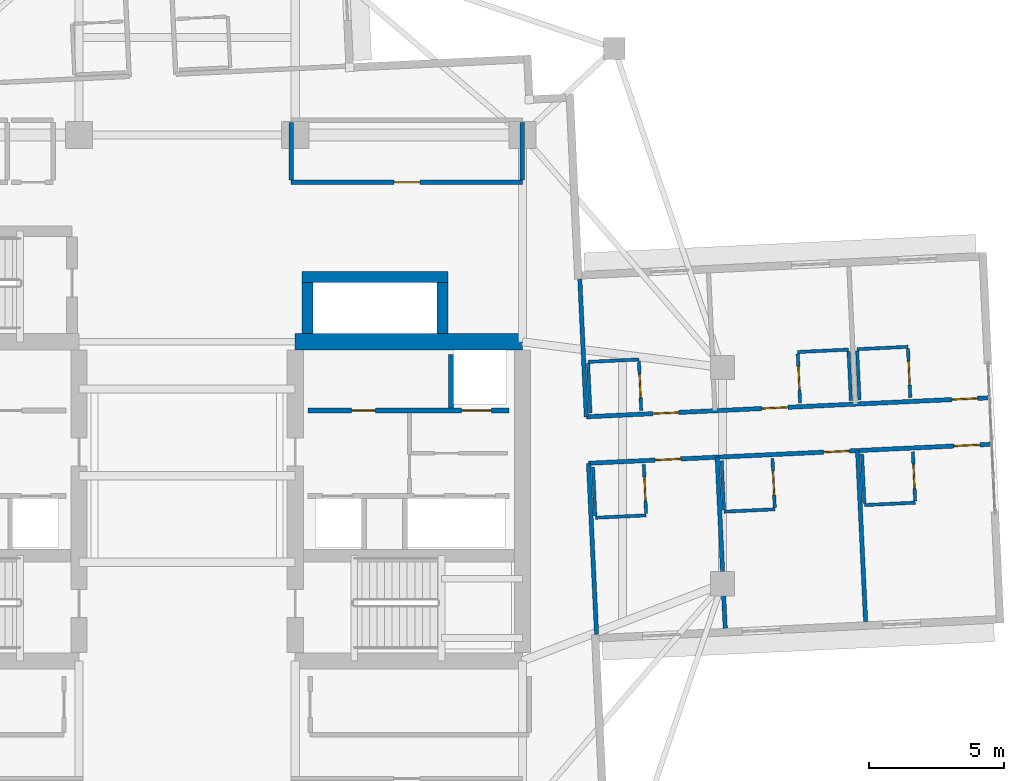
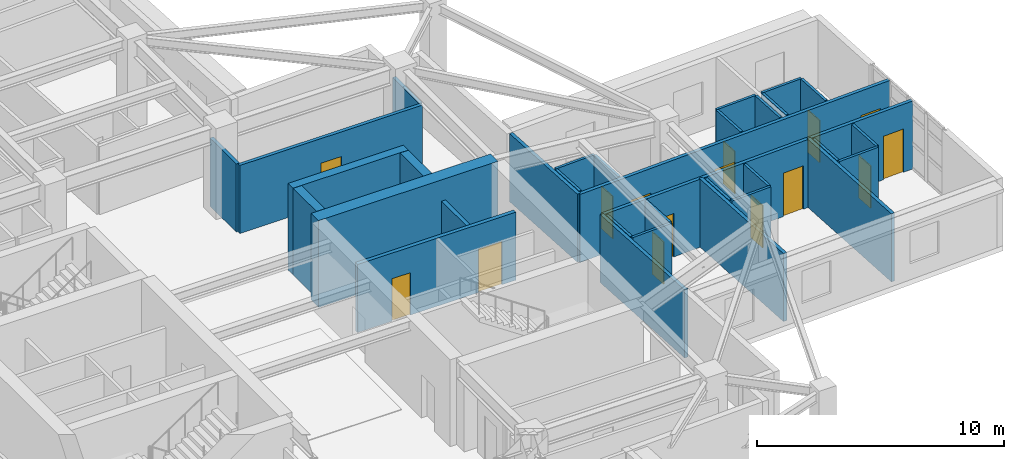
# One storey, part 15 of 22: 33 walls, 15 doors, 15 openings.
"""IFC4 building model written with IfcOpenShell, lengths in metres."""

from ifc_helpers import new_model, si_unit, direction, frame, frame_2d, origin, place, context, subcontext, project, spatial, rectangle, extrude, material, layer, layer_set, type_object, element, fill, save


model = new_model("IFC4")

# Units and contexts
model_context = context("Model", 3, precision=1e-05, world=origin(), true_north=direction((0.0, 1.0)))
body_context = subcontext(model_context, "Body", "Model", "MODEL_VIEW")
ifc_project = project(units=[si_unit("LENGTHUNIT", "METRE"), si_unit("AREAUNIT", "SQUARE_METRE"), si_unit("VOLUMEUNIT", "CUBIC_METRE"), si_unit("PLANEANGLEUNIT", "RADIAN"), si_unit("MASSUNIT", "GRAM", prefix="KILO")], contexts=[model_context])

# Site, building, storey
site_placement = place(None, origin())
site = spatial("IfcSite", under=ifc_project, at=site_placement, CompositionType="ELEMENT")
building_placement = place(site_placement, origin())
building = spatial("IfcBuilding", under=site, at=building_placement, Name="Qingluan Cross Belvedere", CompositionType="ELEMENT")
storey_placement = place(building_placement, frame((0.0, 0.0, 196.800048828125)))
storey = spatial("IfcBuildingStorey", under=building, at=storey_placement, Name="L49", CompositionType="ELEMENT", Elevation=196.800048828125)

# Walls
ifc_material_1 = material(Name="Concrete C50", Category="concrete")
ifc_layer_1 = layer(ifc_material_1, 0.449951171875, Name="CoreShearWall_450")
ifc_layer_set_1 = layer_set([ifc_layer_1], Name="Concrete C50")
wall_type_1 = type_object("IfcWallType", Name="CoreShearWall_450", PredefinedType="SHEAR", material=ifc_layer_set_1)
wall_1_placement = place(storey_placement, frame((4.449951171875, 5.2548828125, 0.0), z_axis=(0.0, 0.0, 1.0), x_axis=(0.0, 1.0, 0.0)))
element("IfcWall", 1, at=wall_1_placement, inside=storey, type_object=wall_type_1, Name="Express shuttle core wall L49-W", PredefinedType="SHEAR", context=body_context, shape_type="SweptSolid", body=[
    extrude(rectangle(XDim=1.885009765625, YDim=0.39990234375, at=frame_2d((0.9423828125, 0.0))), origin(), (0.0, 0.0, 1.0), 4.300048828125),
])
wall_2_placement = place(storey_placement, frame((4.25, 7.35009765625, 0.0), z_axis=(0.0, 0.0, 1.0), x_axis=(1.0, 0.0, 0.0)))
element("IfcWall", 2, at=wall_2_placement, inside=storey, type_object=wall_type_1, Name="Express shuttle core wall L49-N", PredefinedType="SHEAR", context=body_context, shape_type="SweptSolid", body=[
    extrude(rectangle(XDim=5.39990234375, YDim=0.39990234375, at=frame_2d((2.699951171875, 0.0))), origin(), (0.0, 0.0, 1.0), 4.300048828125),
])
wall_3_placement = place(storey_placement, frame((9.449951171875, 5.2548828125, 0.0), z_axis=(0.0, 0.0, 1.0), x_axis=(0.0, 1.0, 0.0)))
element("IfcWall", 3, at=wall_3_placement, inside=storey, type_object=wall_type_1, Name="Express shuttle core wall L49-E", PredefinedType="SHEAR", context=body_context, shape_type="SweptSolid", body=[
    extrude(rectangle(XDim=1.885009765625, YDim=0.39990234375, at=frame_2d((0.9423828125, 0.0))), origin(), (0.0, 0.0, 1.0), 4.300048828125),
])
ifc_material_2 = material(Name="Concrete C60", Category="concrete")
ifc_layer_2 = layer(ifc_material_2, 0.60009765625, Name="CoreShearWall_600")
ifc_layer_set_2 = layer_set([ifc_layer_2], Name="Concrete C60")
wall_type_2 = type_object("IfcWallType", Name="CoreShearWall_600", PredefinedType="SHEAR", material=ifc_layer_set_2)
wall_4_placement = place(storey_placement, frame((4.0, 4.949951171875, 0.0), z_axis=(0.0, 0.0, 1.0), x_axis=(1.0, 0.0, 0.0)))
element("IfcWall", 4, at=wall_4_placement, inside=storey, type_object=wall_type_2, Name="Split core E shear wall L49-N", PredefinedType="SHEAR", context=body_context, shape_type="SweptSolid", body=[
    extrude(rectangle(XDim=8.39990234375, YDim=0.60009765625, at=frame_2d((4.199951171875, 0.0))), origin(), (0.0, 0.0, 1.0), 4.300048828125),
])

# Wall, opening, door
ifc_material_3 = material(Name="Gypsum plasterboard on steel stud acoustic partition", Category="steel")
ifc_layer_3 = layer(ifc_material_3, 0.159912109375, Name="CorridorPartition_160")
ifc_layer_set_3 = layer_set([ifc_layer_3], Name="Gypsum plasterboard on steel stud acoustic partition")
wall_type_3 = type_object("IfcWallType", Name="CorridorPartition_160", PredefinedType="PARTITIONING", material=ifc_layer_set_3)
wall_5_placement = place(storey_placement, frame((3.85009765625, 10.85009765625, 0.0), z_axis=(0.0, 0.0, 1.0), x_axis=(1.0, 0.0, 0.0)))
wall_5 = element("IfcWall", 5, at=wall_5_placement, inside=storey, type_object=wall_type_3, Name="Partition L49:sky_concierge:S", PredefinedType="PARTITIONING", context=body_context, shape_type="SweptSolid", body=[
    extrude(rectangle(XDim=8.5498046875, YDim=0.159912109375, at=frame_2d((4.27490234375, 0.0))), origin(), (0.0, 0.0, 1.0), 3.369873046875),
])
opening_1_placement = place(wall_5_placement, frame((3.794921875, 0.0, 0.0)))
opening_1 = element("IfcOpeningElement", 6, at=opening_1_placement, cuts=wall_5, Name="Opening GD-10", PredefinedType="OPENING", context=body_context, shape_type="SweptSolid", body=[
    extrude(rectangle(XDim=0.9599609375, YDim=2.14990234375, at=frame_2d((0.47998046875, 1.074951171875))), frame((0.0, 0.08984375, 0.0), z_axis=(0.0, -1.0, 0.0), x_axis=(1.0, 0.0, 0.0)), (0.0, 0.0, 1.0), 0.179931640625),
])
ifc_material_4 = material(Name="Timber oak fire-rated acoustic guestroom door", Category="wood")
door_type_1 = type_object("IfcDoorType", Name="GuestEntryDoor_FD60", OperationType="NOTDEFINED", PredefinedType="DOOR", material=ifc_material_4)
door_1_placement = place(opening_1_placement, origin())
door_1 = element("IfcDoor", 7, at=door_1_placement, inside=storey, type_object=door_type_1, Name="Sky lobby concierge reception L49 door", OperationType="SINGLE_SWING_LEFT", OverallHeight=2.14990234375, OverallWidth=0.9599609375, PredefinedType="DOOR", context=body_context, shape_type="SweptSolid", body=[
    extrude(rectangle(XDim=0.9599609375, YDim=2.14990234375, at=frame_2d((0.47998046875, 1.074951171875))), frame((0.0, 0.02490234375, 0.0), z_axis=(0.0, -1.0, 0.0), x_axis=(1.0, 0.0, 0.0)), (0.0, 0.0, 1.0), 0.050048828125),
])
fill(opening_1, door_1)

# Walls
for number, where, z_axis, x_axis, name in (
    (8, (3.85009765625, 10.93505859375, 0.0), (0.0, 0.0, 1.0), (0.0, 1.0, 0.0), "Partition L49:sky_concierge:W"),
    (9, (12.39990234375, 10.93505859375, 0.0), (0.0, 0.0, 1.0), (0.0, 1.0, 0.0), "Partition L49:sky_concierge:E"),
):
    element("IfcWall", number, at=place(storey_placement, frame(where, z_axis=z_axis, x_axis=x_axis)), inside=storey, type_object=wall_type_3, Name=name, PredefinedType="PARTITIONING", context=body_context, shape_type="SweptSolid", body=[
        extrude(rectangle(XDim=2.1298828125, YDim=0.159912109375, at=frame_2d((1.06494140625, 0.0))), origin(), (0.0, 0.0, 1.0), 3.369873046875),
    ])

# Wall, openings, doors
wall_6_placement = place(storey_placement, frame((14.763916015625, 2.177978515625, 0.0), z_axis=(0.0, 0.0, 1.0), x_axis=(0.998890410031, 0.047095103231, 0.0)))
wall_6 = element("IfcWall", 10, at=wall_6_placement, inside=storey, type_object=wall_type_3, Name="Partition L49:E:c0", PredefinedType="PARTITIONING", context=body_context, shape_type="SweptSolid", body=[
    extrude(rectangle(XDim=14.929931640625, YDim=0.159912109375, at=frame_2d((7.46484375, 0.0))), origin(), (0.0, 0.0, 1.0), 3.369873046875),
])
opening_2_placement = place(wall_6_placement, frame((2.4560546875, 0.0, 0.0)))
opening_2 = element("IfcOpeningElement", 11, at=opening_2_placement, cuts=wall_6, Name="Opening GD-10", PredefinedType="OPENING", context=body_context, shape_type="SweptSolid", body=[
    extrude(rectangle(XDim=0.9599609375, YDim=2.14990234375, at=frame_2d((0.47998046875, 1.074951171875))), frame((0.0, 0.08984375, 0.0), z_axis=(0.0, -1.0, 0.0), x_axis=(1.0, 0.0, 0.0)), (0.0, 0.0, 1.0), 0.179931640625),
])
opening_3_placement = place(wall_6_placement, frame((6.5009765625, 0.0, 0.0)))
opening_3 = element("IfcOpeningElement", 12, at=opening_3_placement, cuts=wall_6, Name="Opening GD-10", PredefinedType="OPENING", context=body_context, shape_type="SweptSolid", body=[
    extrude(rectangle(XDim=0.9599609375, YDim=2.14990234375, at=frame_2d((0.47998046875, 1.074951171875))), frame((0.0, 0.08984375, 0.0), z_axis=(0.0, -1.0, 0.0), x_axis=(1.0, 0.0, 0.0)), (0.0, 0.0, 1.0), 0.179931640625),
])
opening_4_placement = place(wall_6_placement, frame((13.530029296875, 0.0, 0.0)))
opening_4 = element("IfcOpeningElement", 13, at=opening_4_placement, cuts=wall_6, Name="Opening GD-10", PredefinedType="OPENING", context=body_context, shape_type="SweptSolid", body=[
    extrude(rectangle(XDim=0.9599609375, YDim=2.14990234375, at=frame_2d((0.47998046875, 1.074951171875))), frame((0.0, 0.08984375, 0.0), z_axis=(0.0, -1.0, 0.0), x_axis=(1.0, 0.0, 0.0)), (0.0, 0.0, 1.0), 0.179931640625),
])
door_2_placement = place(opening_2_placement, origin())
door_2 = element("IfcDoor", 14, at=door_2_placement, inside=storey, type_object=door_type_1, Name="Guest entry fire door 4901", OperationType="SINGLE_SWING_RIGHT", OverallHeight=2.14990234375, OverallWidth=0.9599609375, PredefinedType="DOOR", context=body_context, shape_type="SweptSolid", body=[
    extrude(rectangle(XDim=0.9599609375, YDim=2.14990234375, at=frame_2d((0.47998046875, 1.074951171875))), frame((0.0, 0.02490234375, 0.0), z_axis=(0.0, -1.0, 0.0), x_axis=(1.0, 0.0, 0.0)), (0.0, 0.0, 1.0), 0.050048828125),
])
fill(opening_2, door_2)
door_3_placement = place(opening_3_placement, origin())
door_3 = element("IfcDoor", 15, at=door_3_placement, inside=storey, type_object=door_type_1, Name="Guest entry fire door 4902", OperationType="SINGLE_SWING_RIGHT", OverallHeight=2.14990234375, OverallWidth=0.9599609375, PredefinedType="DOOR", context=body_context, shape_type="SweptSolid", body=[
    extrude(rectangle(XDim=0.9599609375, YDim=2.14990234375, at=frame_2d((0.47998046875, 1.074951171875))), frame((0.0, 0.02490234375, 0.0), z_axis=(0.0, -1.0, 0.0), x_axis=(1.0, 0.0, 0.0)), (0.0, 0.0, 1.0), 0.050048828125),
])
fill(opening_3, door_3)
door_4_placement = place(opening_4_placement, origin())
door_4 = element("IfcDoor", 16, at=door_4_placement, inside=storey, type_object=door_type_1, Name="Guest entry fire door 4903", OperationType="SINGLE_SWING_RIGHT", OverallHeight=2.14990234375, OverallWidth=0.9599609375, PredefinedType="DOOR", context=body_context, shape_type="SweptSolid", body=[
    extrude(rectangle(XDim=0.9599609375, YDim=2.14990234375, at=frame_2d((0.47998046875, 1.074951171875))), frame((0.0, 0.02490234375, 0.0), z_axis=(0.0, -1.0, 0.0), x_axis=(1.0, 0.0, 0.0)), (0.0, 0.0, 1.0), 0.050048828125),
])
fill(opening_4, door_4)

# Wall
wall_7_placement = place(storey_placement, frame((14.763916015625, 2.177978515625, 0.0), z_axis=(0.0, 0.0, 1.0), x_axis=(-0.047130059153, 0.998888761336, 0.0)))
element("IfcWall", 17, at=wall_7_placement, inside=storey, type_object=wall_type_3, Name="Partition L49:E:s0", PredefinedType="PARTITIONING", context=body_context, shape_type="SweptSolid", body=[
    extrude(rectangle(XDim=5.092041015625, YDim=0.159912109375, at=frame_2d((2.5458984375, 0.0))), origin(), (0.0, 0.0, 1.0), 3.369873046875),
])

# Wall, openings, doors
wall_8_placement = place(storey_placement, frame((14.8447265625, 0.459716796875, 0.0), z_axis=(0.0, 0.0, 1.0), x_axis=(0.998889676925, 0.047110649891, 0.0)))
wall_8 = element("IfcWall", 18, at=wall_8_placement, inside=storey, type_object=wall_type_3, Name="Partition L49:E:c1", PredefinedType="PARTITIONING", context=body_context, shape_type="SweptSolid", body=[
    extrude(rectangle(XDim=14.93017578125, YDim=0.159912109375, at=frame_2d((7.465087890625, 0.0))), origin(), (0.0, 0.0, 1.0), 3.369873046875),
])
opening_5_placement = place(wall_8_placement, frame((2.4560546875, 0.0, 0.0)))
opening_5 = element("IfcOpeningElement", 19, at=opening_5_placement, cuts=wall_8, Name="Opening GD-10", PredefinedType="OPENING", context=body_context, shape_type="SweptSolid", body=[
    extrude(rectangle(XDim=0.9599609375, YDim=2.14990234375, at=frame_2d((0.47998046875, 1.074951171875))), frame((0.0, 0.08984375, 0.0), z_axis=(0.0, -1.0, 0.0), x_axis=(1.0, 0.0, 0.0)), (0.0, 0.0, 1.0), 0.179931640625),
])
opening_6_placement = place(wall_8_placement, frame((8.700927734375, 0.0, 0.0)))
opening_6 = element("IfcOpeningElement", 20, at=opening_6_placement, cuts=wall_8, Name="Opening GD-10", PredefinedType="OPENING", context=body_context, shape_type="SweptSolid", body=[
    extrude(rectangle(XDim=0.9599609375, YDim=2.14990234375, at=frame_2d((0.47998046875, 1.074951171875))), frame((0.0, 0.08984375, 0.0), z_axis=(0.0, -1.0, 0.0), x_axis=(1.0, 0.0, 0.0)), (0.0, 0.0, 1.0), 0.179931640625),
])
opening_7_placement = place(wall_8_placement, frame((13.530029296875, 0.0, 0.0)))
opening_7 = element("IfcOpeningElement", 21, at=opening_7_placement, cuts=wall_8, Name="Opening GD-10", PredefinedType="OPENING", context=body_context, shape_type="SweptSolid", body=[
    extrude(rectangle(XDim=0.9599609375, YDim=2.14990234375, at=frame_2d((0.47998046875, 1.074951171875))), frame((0.0, 0.08984375, 0.0), z_axis=(0.0, -1.0, 0.0), x_axis=(1.0, 0.0, 0.0)), (0.0, 0.0, 1.0), 0.179931640625),
])
door_5_placement = place(opening_5_placement, origin())
door_5 = element("IfcDoor", 22, at=door_5_placement, inside=storey, type_object=door_type_1, Name="Guest entry fire door 4904", OperationType="SINGLE_SWING_RIGHT", OverallHeight=2.14990234375, OverallWidth=0.9599609375, PredefinedType="DOOR", context=body_context, shape_type="SweptSolid", body=[
    extrude(rectangle(XDim=0.9599609375, YDim=2.14990234375, at=frame_2d((0.47998046875, 1.074951171875))), frame((0.0, 0.02490234375, 0.0), z_axis=(0.0, -1.0, 0.0), x_axis=(1.0, 0.0, 0.0)), (0.0, 0.0, 1.0), 0.050048828125),
])
fill(opening_5, door_5)
door_6_placement = place(opening_6_placement, origin())
door_6 = element("IfcDoor", 23, at=door_6_placement, inside=storey, type_object=door_type_1, Name="Guest entry fire door 4905", OperationType="SINGLE_SWING_RIGHT", OverallHeight=2.14990234375, OverallWidth=0.9599609375, PredefinedType="DOOR", context=body_context, shape_type="SweptSolid", body=[
    extrude(rectangle(XDim=0.9599609375, YDim=2.14990234375, at=frame_2d((0.47998046875, 1.074951171875))), frame((0.0, 0.02490234375, 0.0), z_axis=(0.0, -1.0, 0.0), x_axis=(1.0, 0.0, 0.0)), (0.0, 0.0, 1.0), 0.050048828125),
])
fill(opening_6, door_6)
door_7_placement = place(opening_7_placement, origin())
door_7 = element("IfcDoor", 24, at=door_7_placement, inside=storey, type_object=door_type_1, Name="Guest entry fire door 4906", OperationType="SINGLE_SWING_RIGHT", OverallHeight=2.14990234375, OverallWidth=0.9599609375, PredefinedType="DOOR", context=body_context, shape_type="SweptSolid", body=[
    extrude(rectangle(XDim=0.9599609375, YDim=2.14990234375, at=frame_2d((0.47998046875, 1.074951171875))), frame((0.0, 0.02490234375, 0.0), z_axis=(0.0, -1.0, 0.0), x_axis=(1.0, 0.0, 0.0)), (0.0, 0.0, 1.0), 0.050048828125),
])
fill(opening_7, door_7)

# Walls
for number, where, z_axis, x_axis, name in (
    (25, (14.8447265625, 0.459716796875, 0.0), (0.0, 0.0, 1.0), (0.047116333717, -0.998889408842, 0.0), "Partition L49:E:s1"),
    (26, (19.6025390625, 0.68408203125, 0.0), (0.0, 0.0, 1.0), (0.047116333717, -0.998889408842, 0.0), "Partition L49:E:d1_0"),
    (27, (24.794921875, 0.928955078125, 0.0), (0.0, 0.0, 1.0), (0.047077862468, -0.998891222739, 0.0), "Partition L49:E:d1_1"),
):
    element("IfcWall", number, at=place(storey_placement, frame(where, z_axis=z_axis, x_axis=x_axis)), inside=storey, type_object=wall_type_3, Name=name, PredefinedType="PARTITIONING", context=body_context, shape_type="SweptSolid", body=[
        extrude(rectangle(XDim=6.33203125, YDim=0.159912109375, at=frame_2d((3.166015625, 0.0))), origin(), (0.0, 0.0, 1.0), 3.369873046875),
    ])

# Wall, opening, door
ifc_material_5 = material(Name="Moisture-resistant gypsum board lining")
ifc_layer_4 = layer(ifc_material_5, 0.1201171875, Name="EnsuiteWetPartition_120")
ifc_layer_set_4 = layer_set([ifc_layer_4], Name="Moisture-resistant gypsum board lining")
wall_type_4 = type_object("IfcWallType", Name="EnsuiteWetPartition_120", PredefinedType="PARTITIONING", material=ifc_layer_set_4)
wall_9_placement = place(storey_placement, frame((16.794921875, 2.413818359375, 0.0), z_axis=(0.0, 0.0, 1.0), x_axis=(-0.047087116047, 0.998890786574, 0.0)))
wall_9 = element("IfcWall", 28, at=wall_9_placement, inside=storey, type_object=wall_type_4, Name="Partition L49:E:bs0_0", PredefinedType="PARTITIONING", context=body_context, shape_type="SweptSolid", body=[
    extrude(rectangle(XDim=1.81982421875, YDim=0.1201171875, at=frame_2d((0.909912109375, 0.0))), origin(), (0.0, 0.0, 1.0), 3.369873046875),
])
opening_8_placement = place(wall_9_placement, frame((0.469970703125, 0.0, 0.0)))
opening_8 = element("IfcOpeningElement", 29, at=opening_8_placement, cuts=wall_9, Name="Opening BD-09", PredefinedType="OPENING", context=body_context, shape_type="SweptSolid", body=[
    extrude(rectangle(XDim=0.8798828125, YDim=2.10009765625, at=frame_2d((0.43994140625, 1.050048828125))), frame((0.0, 0.070068359375, 0.0), z_axis=(0.0, -1.0, 0.0), x_axis=(1.0, 0.0, 0.0)), (0.0, 0.0, 1.0), 0.14013671875),
])
ifc_material_6 = material(Name="Moisture-sealed timber en-suite door", Category="wood")
door_type_2 = type_object("IfcDoorType", Name="BathroomDoor_880", OperationType="NOTDEFINED", PredefinedType="DOOR", material=ifc_material_6)
door_8_placement = place(opening_8_placement, origin())
door_8 = element("IfcDoor", 30, at=door_8_placement, inside=storey, type_object=door_type_2, Name="Bathroom door 4901", OperationType="SINGLE_SWING_LEFT", OverallHeight=2.10009765625, OverallWidth=0.8798828125, PredefinedType="DOOR", context=body_context, shape_type="SweptSolid", body=[
    extrude(rectangle(XDim=0.8798828125, YDim=2.10009765625, at=frame_2d((0.43994140625, 1.050048828125))), frame((0.0, 0.02490234375, 0.0), z_axis=(0.0, -1.0, 0.0), x_axis=(1.0, 0.0, 0.0)), (0.0, 0.0, 1.0), 0.050048828125),
])
fill(opening_8, door_8)

# Walls
wall_10_placement = place(storey_placement, frame((14.9169921875, 2.3251953125, 0.0), z_axis=(0.0, 0.0, 1.0), x_axis=(-0.047080807099, 0.998891083954, 0.0)))
element("IfcWall", 31, at=wall_10_placement, inside=storey, type_object=wall_type_4, Name="Partition L49:E:bw0_0", PredefinedType="PARTITIONING", context=body_context, shape_type="SweptSolid", body=[
    extrude(rectangle(XDim=1.820068359375, YDim=0.1201171875, at=frame_2d((0.91015625, 0.0))), origin(), (0.0, 0.0, 1.0), 3.369873046875),
])
wall_11_placement = place(storey_placement, frame((14.828125, 4.208251953125, 0.0), z_axis=(0.0, 0.0, 1.0), x_axis=(0.998894425757, 0.04700985207, 0.0)))
element("IfcWall", 32, at=wall_11_placement, inside=storey, type_object=wall_type_4, Name="Partition L49:E:bn0_0", PredefinedType="PARTITIONING", context=body_context, shape_type="SweptSolid", body=[
    extrude(rectangle(XDim=1.880126953125, YDim=0.1201171875, at=frame_2d((0.93994140625, 0.0))), origin(), (0.0, 0.0, 1.0), 3.369873046875),
])

# Wall, opening, door
wall_12_placement = place(storey_placement, frame((22.66943359375, 2.69091796875, 0.0), z_axis=(0.0, 0.0, 1.0), x_axis=(-0.047087116047, 0.998890786574, 0.0)))
wall_12 = element("IfcWall", 33, at=wall_12_placement, inside=storey, type_object=wall_type_4, Name="Partition L49:E:bs0_1", PredefinedType="PARTITIONING", context=body_context, shape_type="SweptSolid", body=[
    extrude(rectangle(XDim=1.81982421875, YDim=0.1201171875, at=frame_2d((0.909912109375, 0.0))), origin(), (0.0, 0.0, 1.0), 3.369873046875),
])
opening_9_placement = place(wall_12_placement, frame((0.469970703125, 0.0, 0.0)))
opening_9 = element("IfcOpeningElement", 34, at=opening_9_placement, cuts=wall_12, Name="Opening BD-09", PredefinedType="OPENING", context=body_context, shape_type="SweptSolid", body=[
    extrude(rectangle(XDim=0.8798828125, YDim=2.10009765625, at=frame_2d((0.43994140625, 1.050048828125))), frame((0.0, 0.070068359375, 0.0), z_axis=(0.0, -1.0, 0.0), x_axis=(1.0, 0.0, 0.0)), (0.0, 0.0, 1.0), 0.14013671875),
])
door_9_placement = place(opening_9_placement, origin())
door_9 = element("IfcDoor", 35, at=door_9_placement, inside=storey, type_object=door_type_2, Name="Bathroom door 4902", OperationType="SINGLE_SWING_LEFT", OverallHeight=2.10009765625, OverallWidth=0.8798828125, PredefinedType="DOOR", context=body_context, shape_type="SweptSolid", body=[
    extrude(rectangle(XDim=0.8798828125, YDim=2.10009765625, at=frame_2d((0.43994140625, 1.050048828125))), frame((0.0, 0.02490234375, 0.0), z_axis=(0.0, -1.0, 0.0), x_axis=(1.0, 0.0, 0.0)), (0.0, 0.0, 1.0), 0.050048828125),
])
fill(opening_9, door_9)

# Walls
wall_13_placement = place(storey_placement, frame((24.54736328125, 2.779296875, 0.0), z_axis=(0.0, 0.0, 1.0), x_axis=(-0.047080807099, 0.998891083954, 0.0)))
element("IfcWall", 36, at=wall_13_placement, inside=storey, type_object=wall_type_4, Name="Partition L49:E:bw0_1", PredefinedType="PARTITIONING", context=body_context, shape_type="SweptSolid", body=[
    extrude(rectangle(XDim=1.820068359375, YDim=0.1201171875, at=frame_2d((0.91015625, 0.0))), origin(), (0.0, 0.0, 1.0), 3.369873046875),
])
wall_14_placement = place(storey_placement, frame((22.58056640625, 4.57373046875, 0.0), z_axis=(0.0, 0.0, 1.0), x_axis=(0.998888319371, 0.047139425368, 0.0)))
element("IfcWall", 37, at=wall_14_placement, inside=storey, type_object=wall_type_4, Name="Partition L49:E:bn0_1", PredefinedType="PARTITIONING", context=body_context, shape_type="SweptSolid", body=[
    extrude(rectangle(XDim=1.880126953125, YDim=0.1201171875, at=frame_2d((0.93994140625, 0.0))), origin(), (0.0, 0.0, 1.0), 3.369873046875),
])

# Wall, opening, door
wall_15_placement = place(storey_placement, frame((26.744873046875, 2.883056640625, 0.0), z_axis=(0.0, 0.0, 1.0), x_axis=(-0.047087116047, 0.998890786574, 0.0)))
wall_15 = element("IfcWall", 38, at=wall_15_placement, inside=storey, type_object=wall_type_4, Name="Partition L49:E:bs0_2", PredefinedType="PARTITIONING", context=body_context, shape_type="SweptSolid", body=[
    extrude(rectangle(XDim=1.81982421875, YDim=0.1201171875, at=frame_2d((0.909912109375, 0.0))), origin(), (0.0, 0.0, 1.0), 3.369873046875),
])
opening_10_placement = place(wall_15_placement, frame((0.469970703125, 0.0, 0.0)))
opening_10 = element("IfcOpeningElement", 39, at=opening_10_placement, cuts=wall_15, Name="Opening BD-09", PredefinedType="OPENING", context=body_context, shape_type="SweptSolid", body=[
    extrude(rectangle(XDim=0.8798828125, YDim=2.10009765625, at=frame_2d((0.43994140625, 1.050048828125))), frame((0.0, 0.070068359375, 0.0), z_axis=(0.0, -1.0, 0.0), x_axis=(1.0, 0.0, 0.0)), (0.0, 0.0, 1.0), 0.14013671875),
])
door_10_placement = place(opening_10_placement, origin())
door_10 = element("IfcDoor", 40, at=door_10_placement, inside=storey, type_object=door_type_2, Name="Bathroom door 4903", OperationType="SINGLE_SWING_LEFT", OverallHeight=2.10009765625, OverallWidth=0.8798828125, PredefinedType="DOOR", context=body_context, shape_type="SweptSolid", body=[
    extrude(rectangle(XDim=0.8798828125, YDim=2.10009765625, at=frame_2d((0.43994140625, 1.050048828125))), frame((0.0, 0.02490234375, 0.0), z_axis=(0.0, -1.0, 0.0), x_axis=(1.0, 0.0, 0.0)), (0.0, 0.0, 1.0), 0.050048828125),
])
fill(opening_10, door_10)

# Walls
wall_16_placement = place(storey_placement, frame((24.866943359375, 2.79443359375, 0.0), z_axis=(0.0, 0.0, 1.0), x_axis=(-0.047080807099, 0.998891083954, 0.0)))
element("IfcWall", 41, at=wall_16_placement, inside=storey, type_object=wall_type_4, Name="Partition L49:E:bw0_2", PredefinedType="PARTITIONING", context=body_context, shape_type="SweptSolid", body=[
    extrude(rectangle(XDim=1.820068359375, YDim=0.1201171875, at=frame_2d((0.91015625, 0.0))), origin(), (0.0, 0.0, 1.0), 3.369873046875),
])
wall_17_placement = place(storey_placement, frame((24.7783203125, 4.677490234375, 0.0), z_axis=(0.0, 0.0, 1.0), x_axis=(0.998888030748, 0.047145540913, 0.0)))
element("IfcWall", 42, at=wall_17_placement, inside=storey, type_object=wall_type_4, Name="Partition L49:E:bn0_2", PredefinedType="PARTITIONING", context=body_context, shape_type="SweptSolid", body=[
    extrude(rectangle(XDim=1.8798828125, YDim=0.1201171875, at=frame_2d((0.93994140625, 0.0))), origin(), (0.0, 0.0, 1.0), 3.369873046875),
])

# Wall, opening, door
wall_18_placement = place(storey_placement, frame((16.974853515625, -1.40185546875, 0.0), z_axis=(0.0, 0.0, 1.0), x_axis=(-0.047087116047, 0.998890786574, 0.0)))
wall_18 = element("IfcWall", 43, at=wall_18_placement, inside=storey, type_object=wall_type_4, Name="Partition L49:E:bs1_0", PredefinedType="PARTITIONING", context=body_context, shape_type="SweptSolid", body=[
    extrude(rectangle(XDim=1.81982421875, YDim=0.1201171875, at=frame_2d((0.909912109375, 0.0))), origin(), (0.0, 0.0, 1.0), 3.369873046875),
])
opening_11_placement = place(wall_18_placement, frame((0.469970703125, 0.0, 0.0)))
opening_11 = element("IfcOpeningElement", 44, at=opening_11_placement, cuts=wall_18, Name="Opening BD-09", PredefinedType="OPENING", context=body_context, shape_type="SweptSolid", body=[
    extrude(rectangle(XDim=0.8798828125, YDim=2.10009765625, at=frame_2d((0.43994140625, 1.050048828125))), frame((0.0, 0.070068359375, 0.0), z_axis=(0.0, -1.0, 0.0), x_axis=(1.0, 0.0, 0.0)), (0.0, 0.0, 1.0), 0.14013671875),
])
door_11_placement = place(opening_11_placement, origin())
door_11 = element("IfcDoor", 45, at=door_11_placement, inside=storey, type_object=door_type_2, Name="Bathroom door 4904", OperationType="SINGLE_SWING_LEFT", OverallHeight=2.10009765625, OverallWidth=0.8798828125, PredefinedType="DOOR", context=body_context, shape_type="SweptSolid", body=[
    extrude(rectangle(XDim=0.8798828125, YDim=2.10009765625, at=frame_2d((0.43994140625, 1.050048828125))), frame((0.0, 0.02490234375, 0.0), z_axis=(0.0, -1.0, 0.0), x_axis=(1.0, 0.0, 0.0)), (0.0, 0.0, 1.0), 0.050048828125),
])
fill(opening_11, door_11)

# Walls
wall_19_placement = place(storey_placement, frame((15.096923828125, -1.490478515625, 0.0), z_axis=(0.0, 0.0, 1.0), x_axis=(-0.047087116047, 0.998890786574, 0.0)))
element("IfcWall", 46, at=wall_19_placement, inside=storey, type_object=wall_type_4, Name="Partition L49:E:bw1_0", PredefinedType="PARTITIONING", context=body_context, shape_type="SweptSolid", body=[
    extrude(rectangle(XDim=1.81982421875, YDim=0.1201171875, at=frame_2d((0.909912109375, 0.0))), origin(), (0.0, 0.0, 1.0), 3.369873046875),
])
wall_20_placement = place(storey_placement, frame((15.10009765625, -1.555419921875, 0.0), z_axis=(0.0, 0.0, 1.0), x_axis=(0.998888030748, 0.047145540913, 0.0)))
element("IfcWall", 47, at=wall_20_placement, inside=storey, type_object=wall_type_4, Name="Partition L49:E:bc1_0", PredefinedType="PARTITIONING", context=body_context, shape_type="SweptSolid", body=[
    extrude(rectangle(XDim=1.8798828125, YDim=0.1201171875, at=frame_2d((0.93994140625, 0.0))), origin(), (0.0, 0.0, 1.0), 3.369873046875),
])

# Wall, opening, door
wall_21_placement = place(storey_placement, frame((21.732666015625, -1.177490234375, 0.0), z_axis=(0.0, 0.0, 1.0), x_axis=(-0.047087116047, 0.998890786574, 0.0)))
wall_21 = element("IfcWall", 48, at=wall_21_placement, inside=storey, type_object=wall_type_4, Name="Partition L49:E:bs1_1", PredefinedType="PARTITIONING", context=body_context, shape_type="SweptSolid", body=[
    extrude(rectangle(XDim=1.81982421875, YDim=0.1201171875, at=frame_2d((0.909912109375, 0.0))), origin(), (0.0, 0.0, 1.0), 3.369873046875),
])
opening_12_placement = place(wall_21_placement, frame((0.469970703125, 0.0, 0.0)))
opening_12 = element("IfcOpeningElement", 49, at=opening_12_placement, cuts=wall_21, Name="Opening BD-09", PredefinedType="OPENING", context=body_context, shape_type="SweptSolid", body=[
    extrude(rectangle(XDim=0.8798828125, YDim=2.10009765625, at=frame_2d((0.43994140625, 1.050048828125))), frame((0.0, 0.070068359375, 0.0), z_axis=(0.0, -1.0, 0.0), x_axis=(1.0, 0.0, 0.0)), (0.0, 0.0, 1.0), 0.14013671875),
])
door_12_placement = place(opening_12_placement, origin())
door_12 = element("IfcDoor", 50, at=door_12_placement, inside=storey, type_object=door_type_2, Name="Bathroom door 4905", OperationType="SINGLE_SWING_LEFT", OverallHeight=2.10009765625, OverallWidth=0.8798828125, PredefinedType="DOOR", context=body_context, shape_type="SweptSolid", body=[
    extrude(rectangle(XDim=0.8798828125, YDim=2.10009765625, at=frame_2d((0.43994140625, 1.050048828125))), frame((0.0, 0.02490234375, 0.0), z_axis=(0.0, -1.0, 0.0), x_axis=(1.0, 0.0, 0.0)), (0.0, 0.0, 1.0), 0.050048828125),
])
fill(opening_12, door_12)

# Walls
wall_22_placement = place(storey_placement, frame((19.854736328125, -1.26611328125, 0.0), z_axis=(0.0, 0.0, 1.0), x_axis=(-0.047214641863, 0.998884766924, 0.0)))
element("IfcWall", 51, at=wall_22_placement, inside=storey, type_object=wall_type_4, Name="Partition L49:E:bw1_1", PredefinedType="PARTITIONING", context=body_context, shape_type="SweptSolid", body=[
    extrude(rectangle(XDim=1.820068359375, YDim=0.1201171875, at=frame_2d((0.91015625, 0.0))), origin(), (0.0, 0.0, 1.0), 3.369873046875),
])
wall_23_placement = place(storey_placement, frame((19.857666015625, -1.3310546875, 0.0), z_axis=(0.0, 0.0, 1.0), x_axis=(0.998888319371, 0.047139425368, 0.0)))
element("IfcWall", 52, at=wall_23_placement, inside=storey, type_object=wall_type_4, Name="Partition L49:E:bc1_1", PredefinedType="PARTITIONING", context=body_context, shape_type="SweptSolid", body=[
    extrude(rectangle(XDim=1.880126953125, YDim=0.1201171875, at=frame_2d((0.93994140625, 0.0))), origin(), (0.0, 0.0, 1.0), 3.369873046875),
])

# Wall, opening, door
wall_24_placement = place(storey_placement, frame((26.9248046875, -0.9326171875, 0.0), z_axis=(0.0, 0.0, 1.0), x_axis=(-0.047087116047, 0.998890786574, 0.0)))
wall_24 = element("IfcWall", 53, at=wall_24_placement, inside=storey, type_object=wall_type_4, Name="Partition L49:E:bs1_2", PredefinedType="PARTITIONING", context=body_context, shape_type="SweptSolid", body=[
    extrude(rectangle(XDim=1.81982421875, YDim=0.1201171875, at=frame_2d((0.909912109375, 0.0))), origin(), (0.0, 0.0, 1.0), 3.369873046875),
])
opening_13_placement = place(wall_24_placement, frame((0.469970703125, 0.0, 0.0)))
opening_13 = element("IfcOpeningElement", 54, at=opening_13_placement, cuts=wall_24, Name="Opening BD-09", PredefinedType="OPENING", context=body_context, shape_type="SweptSolid", body=[
    extrude(rectangle(XDim=0.8798828125, YDim=2.10009765625, at=frame_2d((0.43994140625, 1.050048828125))), frame((0.0, 0.070068359375, 0.0), z_axis=(0.0, -1.0, 0.0), x_axis=(1.0, 0.0, 0.0)), (0.0, 0.0, 1.0), 0.14013671875),
])
door_13_placement = place(opening_13_placement, origin())
door_13 = element("IfcDoor", 55, at=door_13_placement, inside=storey, type_object=door_type_2, Name="Bathroom door 4906", OperationType="SINGLE_SWING_LEFT", OverallHeight=2.10009765625, OverallWidth=0.8798828125, PredefinedType="DOOR", context=body_context, shape_type="SweptSolid", body=[
    extrude(rectangle(XDim=0.8798828125, YDim=2.10009765625, at=frame_2d((0.43994140625, 1.050048828125))), frame((0.0, 0.02490234375, 0.0), z_axis=(0.0, -1.0, 0.0), x_axis=(1.0, 0.0, 0.0)), (0.0, 0.0, 1.0), 0.050048828125),
])
fill(opening_13, door_13)

# Walls
wall_25_placement = place(storey_placement, frame((25.046875, -1.021240234375, 0.0), z_axis=(0.0, 0.0, 1.0), x_axis=(-0.047087116047, 0.998890786574, 0.0)))
element("IfcWall", 56, at=wall_25_placement, inside=storey, type_object=wall_type_4, Name="Partition L49:E:bw1_2", PredefinedType="PARTITIONING", context=body_context, shape_type="SweptSolid", body=[
    extrude(rectangle(XDim=1.81982421875, YDim=0.1201171875, at=frame_2d((0.909912109375, 0.0))), origin(), (0.0, 0.0, 1.0), 3.369873046875),
])
wall_26_placement = place(storey_placement, frame((25.050048828125, -1.086181640625, 0.0), z_axis=(0.0, 0.0, 1.0), x_axis=(0.998888319371, 0.047139425368, 0.0)))
element("IfcWall", 57, at=wall_26_placement, inside=storey, type_object=wall_type_4, Name="Partition L49:E:bc1_2", PredefinedType="PARTITIONING", context=body_context, shape_type="SweptSolid", body=[
    extrude(rectangle(XDim=1.880126953125, YDim=0.1201171875, at=frame_2d((0.93994140625, 0.0))), origin(), (0.0, 0.0, 1.0), 3.369873046875),
])

# Wall, openings, doors
ifc_material_7 = material(Name="Concrete C40", Category="concrete")
ifc_layer_5 = layer(ifc_material_7, 0.219970703125, Name="ShaftEnclosureWall_250")
ifc_layer_set_5 = layer_set([ifc_layer_5], Name="Concrete C40")
wall_type_5 = type_object("IfcWallType", Name="ShaftEnclosureWall_250", PredefinedType="SOLIDWALL", material=ifc_layer_set_5)
wall_27_placement = place(storey_placement, frame((4.47998046875, 2.409912109375, 0.0), z_axis=(0.0, 0.0, 1.0), x_axis=(1.0, 0.0, 0.0)))
wall_27 = element("IfcWall", 58, at=wall_27_placement, inside=storey, type_object=wall_type_5, Name="Core-E north hoistway wall L49", PredefinedType="SOLIDWALL", context=body_context, shape_type="SweptSolid", body=[
    extrude(rectangle(XDim=7.419921875, YDim=0.179931640625, at=frame_2d((3.7099609375, 0.0))), origin(), (0.0, 0.0, 1.0), 3.369873046875),
])
opening_14_placement = place(wall_27_placement, frame((5.669921875, 0.0, 0.0)))
opening_14 = element("IfcOpeningElement", 59, at=opening_14_placement, cuts=wall_27, Name="Opening LD-11", PredefinedType="OPENING", context=body_context, shape_type="SweptSolid", body=[
    extrude(rectangle(XDim=1.10009765625, YDim=2.14990234375, at=frame_2d((0.550048828125, 1.074951171875))), frame((0.0, 0.099853515625, 0.0), z_axis=(0.0, -1.0, 0.0), x_axis=(1.0, 0.0, 0.0)), (0.0, 0.0, 1.0), 0.199951171875),
])
opening_15_placement = place(wall_27_placement, frame((1.60009765625, 0.0, 0.0)))
opening_15 = element("IfcOpeningElement", 60, at=opening_15_placement, cuts=wall_27, Name="Opening FD-B10", PredefinedType="OPENING", context=body_context, shape_type="SweptSolid", body=[
    extrude(rectangle(XDim=0.8798828125, YDim=2.10009765625, at=frame_2d((0.43994140625, 1.050048828125))), frame((0.0, 0.099853515625, 0.0), z_axis=(0.0, -1.0, 0.0), x_axis=(1.0, 0.0, 0.0)), (0.0, 0.0, 1.0), 0.199951171875),
])
ifc_material_8 = material(Name="Brushed stainless steel centre-opening lift landing door", Category="steel")
door_type_3 = type_object("IfcDoorType", Name="LiftLandingSlidingDoor_1100", OperationType="DOUBLE_DOOR_SLIDING", PredefinedType="DOOR", material=ifc_material_8)
door_14_placement = place(opening_14_placement, origin())
door_14 = element("IfcDoor", 61, at=door_14_placement, inside=storey, type_object=door_type_3, Name="Lift landing sliding door FL2 L49", OperationType="DOUBLE_DOOR_SLIDING", OverallHeight=2.14990234375, OverallWidth=1.10009765625, PredefinedType="DOOR", context=body_context, shape_type="SweptSolid", body=[
    extrude(rectangle(XDim=1.10009765625, YDim=2.14990234375, at=frame_2d((0.550048828125, 1.074951171875))), frame((0.0, 0.02490234375, 0.0), z_axis=(0.0, -1.0, 0.0), x_axis=(1.0, 0.0, 0.0)), (0.0, 0.0, 1.0), 0.050048828125),
])
fill(opening_14, door_14)
ifc_material_9 = material(Name="Steel Class B service fire door", Category="steel")
door_type_4 = type_object("IfcDoorType", Name="RiserServiceFireDoor_FDB", OperationType="NOTDEFINED", PredefinedType="DOOR", material=ifc_material_9)
door_15_placement = place(opening_15_placement, origin())
door_15 = element("IfcDoor", 62, at=door_15_placement, inside=storey, type_object=door_type_4, Name="Pantry room door E L49", OperationType="SINGLE_SWING_LEFT", OverallHeight=2.10009765625, OverallWidth=0.8798828125, PredefinedType="DOOR", context=body_context, shape_type="SweptSolid", body=[
    extrude(rectangle(XDim=0.8798828125, YDim=2.10009765625, at=frame_2d((0.43994140625, 1.050048828125))), frame((0.0, 0.02490234375, 0.0), z_axis=(0.0, -1.0, 0.0), x_axis=(1.0, 0.0, 0.0)), (0.0, 0.0, 1.0), 0.050048828125),
])
fill(opening_15, door_15)

# Wall
wall_28_placement = place(storey_placement, frame((9.760009765625, 2.5, 0.0), z_axis=(0.0, 0.0, 1.0), x_axis=(0.0, 1.0, 0.0)))
element("IfcWall", 63, at=wall_28_placement, inside=storey, type_object=wall_type_5, Name="Hoistway enclosure divider FL2W L49", PredefinedType="SOLIDWALL", context=body_context, shape_type="SweptSolid", body=[
    extrude(rectangle(XDim=1.989990234375, YDim=0.179931640625, at=frame_2d((0.9951171875, 0.0))), origin(), (0.0, 0.0, 1.0), 3.369873046875),
])

save(model, "model.ifc")
